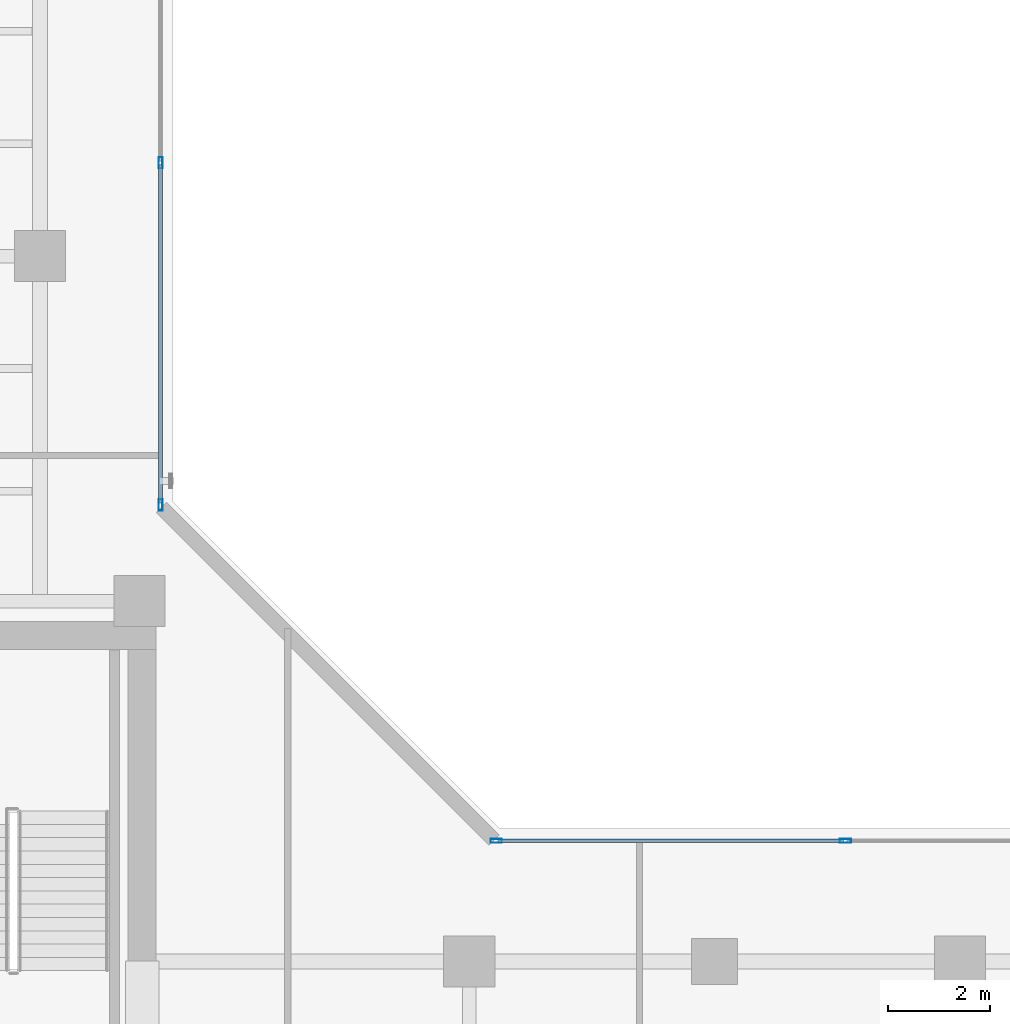
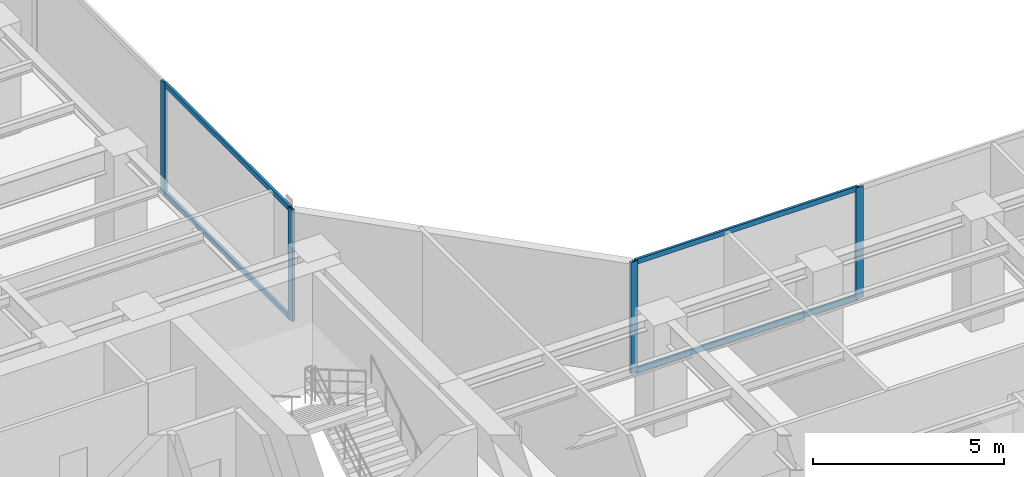
# One storey, part 10 of 22: 8 members, 2 elements without a shape of their own.
"""IFC4 building model written with IfcOpenShell, lengths in metres."""

import ifcopenshell
import ifcopenshell.guid

model = None  # the IFC model being written
_history = None  # IfcOwnerHistory: only IFC2X3 demands one
_inside = {}  # id of a spatial element -> (the spatial element, [elements in it])
_under = {}  # id of a project, library or spatial element -> (it, [spatial elements below it])
_declared = {}  # id of a project -> (the project, [libraries it declares])
_typed = {}  # id of a type object -> (the type object, [elements of that type])
_made_of = {}  # id of a material, layer set ... -> (it, [elements and type objects made of it])


def new_model(schema):
    """Start an empty IFC model of exactly this schema.

    Asked for "IFC4X3", IfcOpenShell would pick the latest addendum, in which some entities
    have other attributes; the version numbers below select the first issue.
    IFC2X3 requires an IfcOwnerHistory on every rooted entity: one is made here for all.
    """
    global model, _history
    if schema == "IFC4X3":
        model = ifcopenshell.file(schema_version=(4, 3, 0, 0))
    else:
        model = ifcopenshell.file(schema=schema)
    _inside.clear()
    _under.clear()
    _declared.clear()
    _typed.clear()
    _made_of.clear()
    _history = None
    if model.schema == "IFC2X3":
        org = make("IfcOrganization", Name="unknown")
        user = make(
            "IfcPersonAndOrganization",
            ThePerson=make("IfcPerson", FamilyName="unknown"),
            TheOrganization=org,
        )
        app = make(
            "IfcApplication",
            ApplicationDeveloper=org,
            Version="unknown",
            ApplicationFullName="unknown",
            ApplicationIdentifier="unknown",
        )
        _history = make(
            "IfcOwnerHistory",
            OwningUser=user,
            OwningApplication=app,
            ChangeAction="ADDED",
            CreationDate=0,
        )
    return model


def make(cls, **values):
    """One entity of the class cls with the attributes given. An attribute that is None is left unset."""
    return model.create_entity(
        cls, **{name: value for name, value in values.items() if value is not None}
    )


def rooted(cls, **values):
    """An entity with a GlobalId (a new one), such as an element, a storey or a relation."""
    return make(cls, GlobalId=ifcopenshell.guid.new(), OwnerHistory=_history, **values)


def si_unit(unit_type, name, prefix=None):
    """IfcSIUnit, for example si_unit("LENGTHUNIT", "METRE", prefix="MILLI")."""
    return make("IfcSIUnit", UnitType=unit_type, Prefix=prefix, Name=name)


def assignment(units):
    """IfcUnitAssignment: the units of a project."""
    return None if units is None else make("IfcUnitAssignment", Units=units)


def point(xyz):
    """IfcCartesianPoint."""
    return None if xyz is None else make("IfcCartesianPoint", Coordinates=xyz)


def direction(xyz):
    """IfcDirection."""
    return None if xyz is None else make("IfcDirection", DirectionRatios=xyz)


def frame(location, z_axis=None, x_axis=None):
    """IfcAxis2Placement3D, a coordinate frame: its origin and axes. An axis left out is left unset."""
    return make(
        "IfcAxis2Placement3D",
        Location=point(location),
        Axis=direction(z_axis),
        RefDirection=direction(x_axis),
    )


def frame_2d(location, x_axis=None):
    """IfcAxis2Placement2D, a coordinate frame in the plane: its origin and x axis."""
    return make(
        "IfcAxis2Placement2D", Location=point(location), RefDirection=direction(x_axis)
    )


def origin():
    """The frame at (0, 0, 0) with its axes left unset."""
    return frame((0.0, 0.0, 0.0))


def origin_with_axes():
    """The frame at (0, 0, 0) with the z axis (0, 0, 1) and the x axis (1, 0, 0) written out."""
    return frame((0.0, 0.0, 0.0), z_axis=(0.0, 0.0, 1.0), x_axis=(1.0, 0.0, 0.0))


def origin_2d():
    """The frame at (0, 0) in the plane with its x axis left unset."""
    return frame_2d((0.0, 0.0))


def place(relative_to, where):
    """IfcLocalPlacement: puts the frame where relative to a parent placement (None: the world)."""
    return make(
        "IfcLocalPlacement", PlacementRelTo=relative_to, RelativePlacement=where
    )


def context(
    kind, dimensions, precision=None, world=None, true_north=None, identifier=None
):
    """IfcGeometricRepresentationContext, for example the 3D "Model" context."""
    return make(
        "IfcGeometricRepresentationContext",
        ContextIdentifier=identifier,
        ContextType=kind,
        CoordinateSpaceDimension=dimensions,
        Precision=precision,
        WorldCoordinateSystem=world,
        TrueNorth=true_north,
    )


def subcontext(parent, identifier, kind, view, scale=None):
    """IfcGeometricRepresentationSubContext, for example "Body" below "Model"."""
    return make(
        "IfcGeometricRepresentationSubContext",
        ContextIdentifier=identifier,
        ContextType=kind,
        ParentContext=parent,
        TargetScale=scale,
        TargetView=view,
    )


def project(units=None, contexts=None):
    """IfcProject with its units and contexts."""
    return rooted(
        "IfcProject",
        Name="project",
        RepresentationContexts=contexts,
        UnitsInContext=assignment(units),
    )


def spatial(cls, under=None, at=None, **own):
    """A site, building, storey or space (cls), placed at a placement, below another one or the project."""
    s = rooted(cls, ObjectPlacement=at, **own)
    if under is not None:
        _under.setdefault(under.id(), (under, []))[1].append(s)
    return s


def profile(cls, at=None, kind="AREA", **sizes):
    """A parametric profile (cls). Its sizes go by their IFC names, for example OverallWidth=200.0."""
    return make(cls, ProfileType=kind, Position=at, **sizes)


def hollow_rectangle(**sizes):
    """IfcRectangleHollowProfileDef."""
    return profile("IfcRectangleHollowProfileDef", **sizes)


def extrude(swept, where, along, depth):
    """IfcExtrudedAreaSolid: the profile swept, set in the frame where, extruded along a direction by depth."""
    return make(
        "IfcExtrudedAreaSolid",
        SweptArea=swept,
        Position=where,
        ExtrudedDirection=direction(along),
        Depth=depth,
    )


def shape(context_of_items, identifier, shape_type, items):
    """IfcShapeRepresentation: the items that make up one representation, for example the "Body"."""
    return make(
        "IfcShapeRepresentation",
        ContextOfItems=context_of_items,
        RepresentationIdentifier=identifier,
        RepresentationType=shape_type,
        Items=items,
    )


def source(mapping_origin, context_of_items, identifier, shape_type, items):
    """IfcRepresentationMap: a shape defined once, which mapped items show again and again."""
    return make(
        "IfcRepresentationMap",
        MappingOrigin=mapping_origin,
        MappedRepresentation=shape(context_of_items, identifier, shape_type, items),
    )


def transform(
    local_origin,
    x_axis=None,
    y_axis=None,
    z_axis=None,
    scale=None,
    scale2=None,
    scale3=None,
    uniform=True,
):
    """IfcCartesianTransformationOperator3D, or its non-uniform kind. x_axis, y_axis, z_axis: its Axis1, 2, 3."""
    if uniform:
        return make(
            "IfcCartesianTransformationOperator3D",
            Axis1=direction(x_axis),
            Axis2=direction(y_axis),
            LocalOrigin=point(local_origin),
            Scale=scale,
            Axis3=direction(z_axis),
        )
    return make(
        "IfcCartesianTransformationOperator3DnonUniform",
        Axis1=direction(x_axis),
        Axis2=direction(y_axis),
        LocalOrigin=point(local_origin),
        Scale=scale,
        Axis3=direction(z_axis),
        Scale2=scale2,
        Scale3=scale3,
    )


def mapped(mapping_source, mapping_target):
    """IfcMappedItem: shows the shape of a source again, moved by a transform."""
    return make(
        "IfcMappedItem", MappingSource=mapping_source, MappingTarget=mapping_target
    )


def material(Name=None, Category=None):
    """IfcMaterial."""
    return make("IfcMaterial", Name=Name, Category=Category)


def layer(
    of_material, thickness, ventilated=None, Name=None, Category=None, Priority=None
):
    """IfcMaterialLayer: one layer of a wall or slab, of a material (None: an air gap)."""
    return make(
        "IfcMaterialLayer",
        Material=of_material,
        LayerThickness=thickness,
        IsVentilated=ventilated,
        Name=Name,
        Category=Category,
        Priority=Priority,
    )


def layer_set(layers, Name=None):
    """IfcMaterialLayerSet."""
    return make("IfcMaterialLayerSet", MaterialLayers=layers, LayerSetName=Name)


def material_profile(
    of_material, cross_section, Name=None, Category=None, Priority=None
):
    """IfcMaterialProfile: a cross section and its material."""
    return make(
        "IfcMaterialProfile",
        Name=Name,
        Material=of_material,
        Profile=cross_section,
        Priority=Priority,
        Category=Category,
    )


def profile_set(profiles, Name=None, composite=None):
    """IfcMaterialProfileSet."""
    return make(
        "IfcMaterialProfileSet",
        Name=Name,
        MaterialProfiles=profiles,
        CompositeProfile=composite,
    )


def made_of(thing, what):
    """Note that an element or type object is made of a material, layer set ...; save() writes the relation."""
    if what is not None:
        _made_of.setdefault(what.id(), (what, []))[1].append(thing)
    return thing


def type_object(cls, material=None, **own):
    """A type object (cls), such as IfcWallType, which elements share."""
    return made_of(rooted(cls, **own), material)


def element(
    cls,
    number,
    at=None,
    inside=None,
    cuts=None,
    type_object=None,
    material=None,
    context=None,
    identifier="Body",
    shape_type=None,
    held_by="IfcProductDefinitionShape",
    body=None,
    shapes=None,
    **own,
):
    """One element of the class cls, such as IfcWall. Its Tag is "e" and its number.

    at: its placement. inside: the storey or other place that contains it. cuts: it is an
    opening in that element (IfcRelVoidsElement). A single representation is given by context,
    identifier, shape_type and body (its items); several are given by shapes. held_by: the class
    of the entity that holds the representations. save() writes the other relations.
    """
    e = rooted(cls, Tag="e%d" % number, ObjectPlacement=at, **own)
    if body is not None:
        shapes = [shape(context, identifier, shape_type, body)]
    if shapes is not None:
        e.Representation = make(held_by, Representations=shapes)
    if inside is not None:
        _inside.setdefault(inside.id(), (inside, []))[1].append(e)
    if cuts is not None:
        rooted(
            "IfcRelVoidsElement", RelatingBuildingElement=cuts, RelatedOpeningElement=e
        )
    if type_object is not None:
        _typed.setdefault(type_object.id(), (type_object, []))[1].append(e)
    return made_of(e, material)


def aggregate(whole, parts):
    """IfcRelAggregates: a whole, such as a stair, and the parts it consists of."""
    return rooted("IfcRelAggregates", RelatingObject=whole, RelatedObjects=parts)


def save(model, path):
    """Write the relations noted so far, then the file.

    IfcRelAggregates (storeys below a building ...), IfcRelContainedInSpatialStructure (elements
    in a storey), IfcRelDefinesByType, IfcRelAssociatesMaterial and IfcRelDeclares: one each for
    every whole, place, type object, material and project.
    """
    for whole, parts in _under.values():
        aggregate(whole, parts)
    for where, things in _inside.values():
        rooted(
            "IfcRelContainedInSpatialStructure",
            RelatedElements=things,
            RelatingStructure=where,
        )
    for kind, things in _typed.values():
        rooted("IfcRelDefinesByType", RelatedObjects=things, RelatingType=kind)
    for what, things in _made_of.values():
        rooted("IfcRelAssociatesMaterial", RelatedObjects=things, RelatingMaterial=what)
    for by, libraries in _declared.values():
        rooted("IfcRelDeclares", RelatingContext=by, RelatedDefinitions=libraries)
    model.write(path)


model = new_model("IFC4")

# Units and contexts
model_context = context("Model", 3, precision=1e-05, world=origin(), true_north=direction((0.0, 1.0)))
body_context = subcontext(model_context, "Body", "Model", "MODEL_VIEW")
ifc_project = project(units=[si_unit("LENGTHUNIT", "METRE"), si_unit("AREAUNIT", "SQUARE_METRE"), si_unit("VOLUMEUNIT", "CUBIC_METRE"), si_unit("PLANEANGLEUNIT", "RADIAN"), si_unit("MASSUNIT", "GRAM", prefix="KILO")], contexts=[model_context])

# Site, building, storey
site_placement = place(None, origin())
site = spatial("IfcSite", under=ifc_project, at=site_placement, CompositionType="ELEMENT")
building_placement = place(site_placement, origin())
building = spatial("IfcBuilding", under=site, at=building_placement, Name="Kolvaren Waterfront Exchange", CompositionType="ELEMENT")
storey_placement = place(building_placement, frame((0.0, 0.0, 246.300048828125)))
storey = spatial("IfcBuildingStorey", under=building, at=storey_placement, Name="L63", CompositionType="ELEMENT", Elevation=246.300048828125)

# Curtain wall, members
ifc_material_1 = material(Name="Anodised bronze aluminium 6063-T6", Category="aluminium")
ifc_layer = layer(ifc_material_1, 0.219970703125, Name="Anodised bronze aluminium 6063-T6")
ifc_layer_set = layer_set([ifc_layer], Name="Anodised bronze aluminium 6063-T6")
curtain_wall_type = type_object("IfcCurtainWallType", Name="ARC-CW-SYS1", PredefinedType="USERDEFINED", material=ifc_layer_set)
curtain_wall_1_placement = place(storey_placement, origin())
curtain_wall_1 = element("IfcCurtainWall", 1, at=curtain_wall_1_placement, inside=storey, type_object=curtain_wall_type, Name="L63 stick curtain wall CW1 (CW-L63-NE)", ObjectType="STICK CURTAIN WALL", PredefinedType="USERDEFINED")
ifc_material_2 = material(Name="Anodised aluminium 6063-T6", Category="aluminium")
ifc_material_profile_1 = material_profile(ifc_material_2, hollow_rectangle(XDim=0.080078125, YDim=0.219970703125, WallThickness=0.0048828125, at=origin_2d()), Name="ALU-MUL-220x80x5")
ifc_profile_set_1 = profile_set([ifc_material_profile_1], Name="Anodised aluminium 6063-T6")
member_type_1 = type_object("IfcMemberType", Name="ARC-CWM-220", PredefinedType="MULLION", material=ifc_profile_set_1)
shared_shape_1 = source(origin_with_axes(), body_context, "Body", "SweptSolid", [
    extrude(hollow_rectangle(XDim=0.080078125, YDim=0.219970703125, WallThickness=0.0048828125, at=origin_2d()), origin(), (0.0, 0.0, 1.0), 3.56005859375),
])
member_1_placement = place(storey_placement, frame((21.159912109375, 26.330078125, 0.0), z_axis=(0.0, 0.0, 1.0), x_axis=(-1.0, 0.0, 0.0)))
member_1 = element("IfcMember", 2, at=member_1_placement, type_object=member_type_1, Name="CW1 mullion 1", PredefinedType="MULLION", context=body_context, shape_type="MappedRepresentation", body=[
    mapped(shared_shape_1, transform((0.0, 0.0, 0.0), x_axis=(1.0, 0.0, 0.0), y_axis=(0.0, 1.0, 0.0), z_axis=(0.0, 0.0, 1.0), scale=1.0)),
])
member_2_placement = place(storey_placement, frame((21.159912109375, 33.026611328125, 0.0), z_axis=(0.0, 0.0, 1.0), x_axis=(-1.0, 0.0, 0.0)))
member_2 = element("IfcMember", 3, at=member_2_placement, type_object=member_type_1, Name="CW1 mullion 2", PredefinedType="MULLION", context=body_context, shape_type="MappedRepresentation", body=[
    mapped(shared_shape_1, transform((0.0, 0.0, 0.0), x_axis=(1.0, 0.0, 0.0), y_axis=(0.0, 1.0, 0.0), z_axis=(0.0, 0.0, 1.0), scale=1.0)),
])

curtain_wall_2_placement = place(storey_placement, origin())
curtain_wall_2 = element("IfcCurtainWall", 4, at=curtain_wall_2_placement, inside=storey, type_object=curtain_wall_type, Name="L63 stick curtain wall CW1 (CW-L63-EN)", ObjectType="STICK CURTAIN WALL", PredefinedType="USERDEFINED")
member_3_placement = place(storey_placement, frame((27.72998046875, 19.760009765625, 0.0), z_axis=(0.0, 0.0, 1.0), x_axis=(0.0, 1.0, 0.0)))
member_3 = element("IfcMember", 5, at=member_3_placement, type_object=member_type_1, Name="CW1 mullion 1", PredefinedType="MULLION", context=body_context, shape_type="MappedRepresentation", body=[
    mapped(shared_shape_1, transform((0.0, 0.0, 0.0), x_axis=(1.0, 0.0, 0.0), y_axis=(0.0, 1.0, 0.0), z_axis=(0.0, 0.0, 1.0), scale=1.0)),
])
member_4_placement = place(storey_placement, frame((34.56005859375, 19.760009765625, 0.0), z_axis=(0.0, 0.0, 1.0), x_axis=(0.0, 1.0, 0.0)))
member_4 = element("IfcMember", 6, at=member_4_placement, type_object=member_type_1, Name="CW1 mullion 2", PredefinedType="MULLION", context=body_context, shape_type="MappedRepresentation", body=[
    mapped(shared_shape_1, transform((0.0, 0.0, 0.0), x_axis=(1.0, 0.0, 0.0), y_axis=(0.0, 1.0, 0.0), z_axis=(0.0, 0.0, 1.0), scale=1.0)),
])

# Member
ifc_material_profile_2 = material_profile(ifc_material_2, hollow_rectangle(XDim=0.074951171875, YDim=0.159912109375, WallThickness=0.00439453125, at=origin_2d()), Name="ALU-TRN-160x75x4.5")
ifc_profile_set_2 = profile_set([ifc_material_profile_2], Name="Anodised aluminium 6063-T6")
member_type_2 = type_object("IfcMemberType", Name="ARC-CWT-160", PredefinedType="USERDEFINED", material=ifc_profile_set_2)
shared_shape_2 = source(origin_with_axes(), body_context, "Body", "SweptSolid", [
    extrude(hollow_rectangle(XDim=0.074951171875, YDim=0.159912109375, WallThickness=0.00439453125, at=origin_2d()), origin(), (0.0, 0.0, 1.0), 6.616455078125),
])
member_5_placement = place(storey_placement, frame((21.159912109375, 26.3701171875, 0.037353515625), z_axis=(0.0, 1.0, 0.0), x_axis=(-1.0, 0.0, 0.0)))
member_5 = element("IfcMember", 7, at=member_5_placement, type_object=member_type_2, Name="CW1 transom 1.1", ObjectType="TRANSOM", PredefinedType="USERDEFINED", context=body_context, shape_type="MappedRepresentation", body=[
    mapped(shared_shape_2, transform((0.0, 0.0, 0.0), x_axis=(1.0, 0.0, 0.0), y_axis=(0.0, 1.0, 0.0), z_axis=(0.0, 0.0, 1.0), scale=1.0)),
])

member_6_placement = place(storey_placement, frame((21.159912109375, 26.3701171875, 3.5224609375), z_axis=(0.0, 1.0, 0.0), x_axis=(-1.0, 0.0, 0.0)))
member_6 = element("IfcMember", 8, at=member_6_placement, type_object=member_type_2, Name="CW1 transom 1.2", ObjectType="TRANSOM", PredefinedType="USERDEFINED", context=body_context, shape_type="MappedRepresentation", body=[
    mapped(shared_shape_2, transform((0.0, 0.0, 0.0), x_axis=(1.0, 0.0, 0.0), y_axis=(0.0, 1.0, 0.0), z_axis=(0.0, 0.0, 1.0), scale=1.0)),
])

aggregate(curtain_wall_1, [member_1, member_2, member_5, member_6])

shared_shape_3 = source(origin_with_axes(), body_context, "Body", "SweptSolid", [
    extrude(hollow_rectangle(XDim=0.074951171875, YDim=0.159912109375, WallThickness=0.00439453125, at=origin_2d()), origin(), (0.0, 0.0, 1.0), 6.75),
])
member_7_placement = place(storey_placement, frame((27.77001953125, 19.760009765625, 0.037353515625), z_axis=(1.0, 0.0, 0.0), x_axis=(0.0, 1.0, 0.0)))
member_7 = element("IfcMember", 9, at=member_7_placement, type_object=member_type_2, Name="CW1 transom 1.1", ObjectType="TRANSOM", PredefinedType="USERDEFINED", context=body_context, shape_type="MappedRepresentation", body=[
    mapped(shared_shape_3, transform((0.0, 0.0, 0.0), x_axis=(1.0, 0.0, 0.0), y_axis=(0.0, 1.0, 0.0), z_axis=(0.0, 0.0, 1.0), scale=1.0)),
])

member_8_placement = place(storey_placement, frame((27.77001953125, 19.760009765625, 3.5224609375), z_axis=(1.0, 0.0, 0.0), x_axis=(0.0, 1.0, 0.0)))
member_8 = element("IfcMember", 10, at=member_8_placement, type_object=member_type_2, Name="CW1 transom 1.2", ObjectType="TRANSOM", PredefinedType="USERDEFINED", context=body_context, shape_type="MappedRepresentation", body=[
    mapped(shared_shape_3, transform((0.0, 0.0, 0.0), x_axis=(1.0, 0.0, 0.0), y_axis=(0.0, 1.0, 0.0), z_axis=(0.0, 0.0, 1.0), scale=1.0)),
])

aggregate(curtain_wall_2, [member_3, member_4, member_7, member_8])

save(model, "model.ifc")
